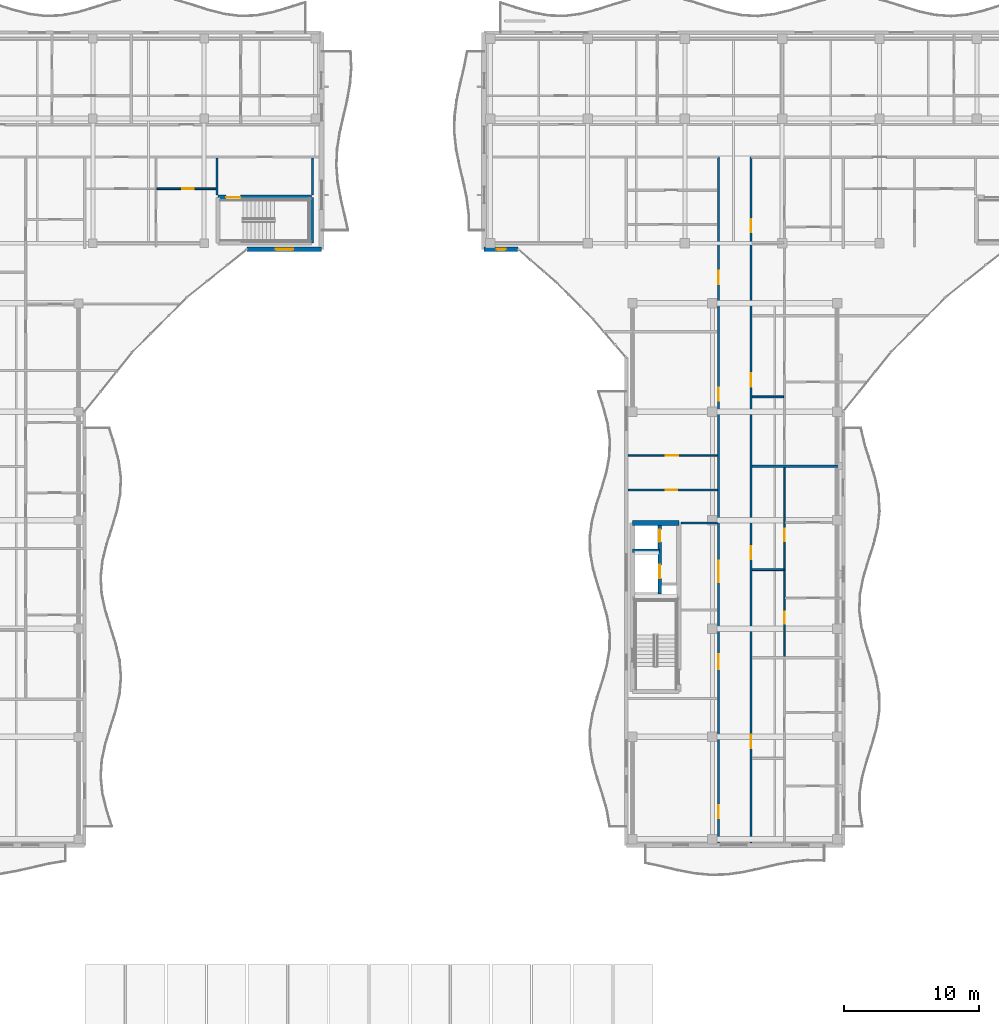
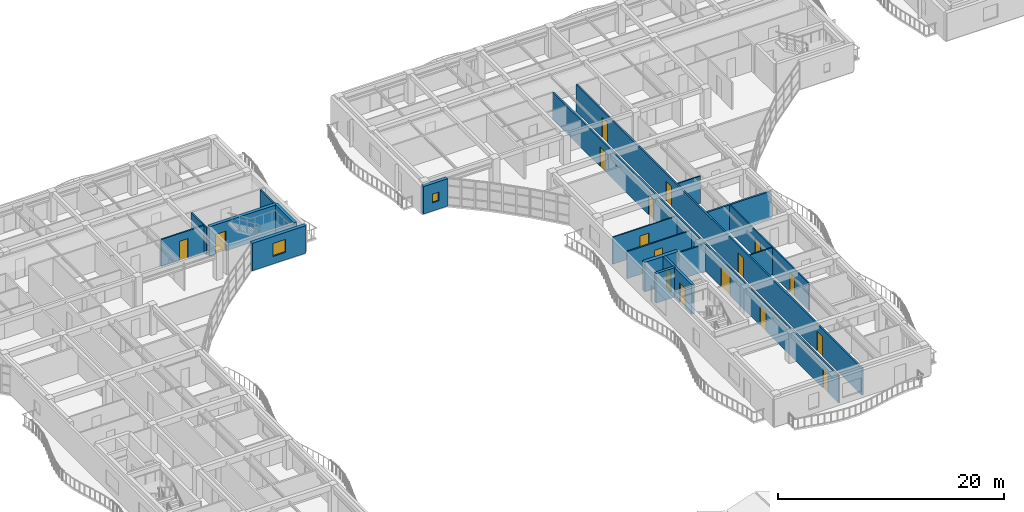
# One storey, part 54 of 89: 19 walls, 17 doors, 2 windows, 19 openings.
"""IFC4 building model written with IfcOpenShell, lengths in metres."""

from ifc_helpers import new_model, si_unit, direction, frame, frame_2d, origin, place, context, subcontext, project, spatial, rectangle, extrude, material, layer, layer_set, type_object, element, fill, save


model = new_model("IFC4")

# Units and contexts
model_context = context("Model", 3, precision=1e-05, world=origin(), true_north=direction((0.0, 1.0)))
body_context = subcontext(model_context, "Body", "Model", "MODEL_VIEW")
ifc_project = project(units=[si_unit("LENGTHUNIT", "METRE"), si_unit("AREAUNIT", "SQUARE_METRE"), si_unit("VOLUMEUNIT", "CUBIC_METRE"), si_unit("PLANEANGLEUNIT", "RADIAN"), si_unit("MASSUNIT", "GRAM", prefix="KILO")], contexts=[model_context])

# Site, building, storey
site_placement = place(None, origin())
site = spatial("IfcSite", under=ifc_project, at=site_placement, CompositionType="ELEMENT")
building_placement = place(site_placement, origin())
building = spatial("IfcBuilding", under=site, at=building_placement, Name="Keldmere Railside Commons", CompositionType="ELEMENT")
storey_placement = place(building_placement, frame((0.0, 0.0, 7.360107421875)))
storey = spatial("IfcBuildingStorey", under=building, at=storey_placement, Name="L02", CompositionType="ELEMENT", Elevation=7.360107421875)

# Wall
ifc_material_1 = material(Name="Acoustic Gypsum Board Partition", Category="gypsum")
ifc_layer_1 = layer(ifc_material_1, 0.179931640625, Name="Acoustic Demising Partition 180")
ifc_layer_set_1 = layer_set([ifc_layer_1], Name="Acoustic Gypsum Board Partition")
wall_type_1 = type_object("IfcWallType", Name="Acoustic Demising Partition 180", PredefinedType="PARTITIONING", material=ifc_layer_set_1)
wall_1_placement = place(storey_placement, frame((113.280029296875, 83.97998046875, 0.0), z_axis=(0.0, 0.0, 1.0), x_axis=(1.0, 0.0, 0.0)))
element("IfcWall", 1, at=wall_1_placement, inside=storey, type_object=wall_type_1, Name="IW-1 IW-L02-0975", PredefinedType="PARTITIONING", context=body_context, shape_type="SweptSolid", body=[
    extrude(rectangle(XDim=6.590087890625, YDim=0.179931640625, at=frame_2d((3.294921875, 0.0))), origin(), (0.0, 0.0, 1.0), 2.934814453125),
])

# Wall, openings, doors
ifc_layer_2 = layer(ifc_material_1, 0.1201171875, Name="Apartment Interior Partition 120")
ifc_layer_set_2 = layer_set([ifc_layer_2], Name="Acoustic Gypsum Board Partition")
wall_type_2 = type_object("IfcWallType", Name="Apartment Interior Partition 120", PredefinedType="PARTITIONING", material=ifc_layer_set_2)
wall_2_placement = place(storey_placement, frame((115.659912109375, 69.919921875, 0.0), z_axis=(0.0, 0.0, 1.0), x_axis=(0.0, 1.0, 0.0)))
wall_2 = element("IfcWall", 2, at=wall_2_placement, inside=storey, type_object=wall_type_2, Name="IW-4 IW-L02-0981", PredefinedType="PARTITIONING", context=body_context, shape_type="SweptSolid", body=[
    extrude(rectangle(XDim=13.969970703125, YDim=0.1201171875, at=frame_2d((6.98486328125, 0.0))), origin(), (0.0, 0.0, 1.0), 2.934814453125),
])
opening_1_placement = place(wall_2_placement, frame((2.443359375, 0.0, 0.0)))
opening_1 = element("IfcOpeningElement", 3, at=opening_1_placement, cuts=wall_2, Name="Opening ID-04", PredefinedType="OPENING", context=body_context, shape_type="SweptSolid", body=[
    extrude(rectangle(XDim=0.860107421875, YDim=2.10009765625, at=frame_2d((0.43017578125, 1.050048828125))), frame((0.0, 0.070068359375, 0.0), z_axis=(0.0, -1.0, 0.0), x_axis=(1.0, 0.0, 0.0)), (0.0, 0.0, 1.0), 0.14013671875),
])
opening_2_placement = place(wall_2_placement, frame((8.541259765625, 0.0, 0.0)))
opening_2 = element("IfcOpeningElement", 4, at=opening_2_placement, cuts=wall_2, Name="Opening ID-03", PredefinedType="OPENING", context=body_context, shape_type="SweptSolid", body=[
    extrude(rectangle(XDim=0.919921875, YDim=2.10009765625, at=frame_2d((0.4599609375, 1.050048828125))), frame((0.0, 0.070068359375, 0.0), z_axis=(0.0, -1.0, 0.0), x_axis=(1.0, 0.0, 0.0)), (0.0, 0.0, 1.0), 0.14013671875),
])
ifc_material_2 = material(Name="Engineered Oak Timber", Category="wood")
door_type_1 = type_object("IfcDoorType", Name="Apartment Bathroom Door 860x2100", OperationType="NOTDEFINED", PredefinedType="DOOR", material=ifc_material_2)
door_1_placement = place(opening_1_placement, origin())
door_1 = element("IfcDoor", 5, at=door_1_placement, inside=storey, type_object=door_type_1, Name="ID-04 IDR-L02-0848", OperationType="SINGLE_SWING_RIGHT", OverallHeight=2.10009765625, OverallWidth=0.860107421875, PredefinedType="DOOR", context=body_context, shape_type="SweptSolid", body=[
    extrude(rectangle(XDim=0.860107421875, YDim=2.10009765625, at=frame_2d((0.43017578125, 1.050048828125))), frame((0.0, 0.02490234375, 0.0), z_axis=(0.0, -1.0, 0.0), x_axis=(1.0, 0.0, 0.0)), (0.0, 0.0, 1.0), 0.050048828125),
])
fill(opening_1, door_1)
door_type_2 = type_object("IfcDoorType", Name="Kitchen Pocket-Frame Swing Door 920x2100", OperationType="NOTDEFINED", PredefinedType="DOOR", material=ifc_material_2)
door_2_placement = place(opening_2_placement, origin())
door_2 = element("IfcDoor", 6, at=door_2_placement, inside=storey, type_object=door_type_2, Name="ID-03 IDR-L02-0849", OperationType="SINGLE_SWING_LEFT", OverallHeight=2.10009765625, OverallWidth=0.919921875, PredefinedType="DOOR", context=body_context, shape_type="SweptSolid", body=[
    extrude(rectangle(XDim=0.919921875, YDim=2.10009765625, at=frame_2d((0.4599609375, 1.050048828125))), frame((0.0, 0.02490234375, 0.0), z_axis=(0.0, -1.0, 0.0), x_axis=(1.0, 0.0, 0.0)), (0.0, 0.0, 1.0), 0.050048828125),
])
fill(opening_2, door_2)

# Wall, opening, door
wall_3_placement = place(storey_placement, frame((104.1298828125, 84.780029296875, 0.0), z_axis=(0.0, 0.0, 1.0), x_axis=(1.0, 0.0, 0.0)))
wall_3 = element("IfcWall", 7, at=wall_3_placement, inside=storey, type_object=wall_type_2, Name="IW-4 IW-L02-1003", PredefinedType="PARTITIONING", context=body_context, shape_type="SweptSolid", body=[
    extrude(rectangle(XDim=6.590087890625, YDim=0.1201171875, at=frame_2d((3.294921875, 0.0))), origin(), (0.0, 0.0, 1.0), 2.934814453125),
])
opening_3_placement = place(wall_3_placement, frame((2.767822265625, 0.0, 0.0)))
opening_3 = element("IfcOpeningElement", 8, at=opening_3_placement, cuts=wall_3, Name="Opening ID-03", PredefinedType="OPENING", context=body_context, shape_type="SweptSolid", body=[
    extrude(rectangle(XDim=0.919921875, YDim=2.10009765625, at=frame_2d((0.4599609375, 1.050048828125))), frame((0.0, 0.070068359375, 0.0), z_axis=(0.0, -1.0, 0.0), x_axis=(1.0, 0.0, 0.0)), (0.0, 0.0, 1.0), 0.14013671875),
])
door_3_placement = place(opening_3_placement, origin())
door_3 = element("IfcDoor", 9, at=door_3_placement, inside=storey, type_object=door_type_2, Name="ID-03 IDR-L02-0877", OperationType="SINGLE_SWING_LEFT", OverallHeight=2.10009765625, OverallWidth=0.919921875, PredefinedType="DOOR", context=body_context, shape_type="SweptSolid", body=[
    extrude(rectangle(XDim=0.919921875, YDim=2.10009765625, at=frame_2d((0.4599609375, 1.050048828125))), frame((0.0, 0.02490234375, 0.0), z_axis=(0.0, -1.0, 0.0), x_axis=(1.0, 0.0, 0.0)), (0.0, 0.0, 1.0), 0.050048828125),
])
fill(opening_3, door_3)

# Wall
ifc_material_3 = material(Name="Concrete H-35 (C35/45)", Category="concrete")
ifc_layer_3 = layer(ifc_material_3, 0.280029296875, Name="Core Shear Wall 280")
ifc_layer_set_3 = layer_set([ifc_layer_3], Name="Concrete H-35 (C35/45)")
wall_type_3 = type_object("IfcWallType", Name="Core Shear Wall 280", PredefinedType="SHEAR", material=ifc_layer_set_3)
wall_4_placement = place(storey_placement, frame((104.4599609375, 77.75, 0.0), z_axis=(0.0, 0.0, 1.0), x_axis=(1.0, 0.0, 0.0)))
element("IfcWall", 10, at=wall_4_placement, inside=storey, type_object=wall_type_3, Name="CSW-2 COREBL-L02-0461", PredefinedType="SHEAR", context=body_context, shape_type="SweptSolid", body=[
    extrude(rectangle(XDim=2.0, YDim=0.280029296875, at=frame_2d((1.0, 0.0))), origin(), (0.0, 0.0, 1.0), 3.199951171875),
])

# Wall, openings, doors
wall_5_placement = place(storey_placement, frame((106.4599609375, 74.550048828125, 0.0), z_axis=(0.0, 0.0, 1.0), x_axis=(0.0, 1.0, 0.0)))
wall_5 = element("IfcWall", 11, at=wall_5_placement, inside=storey, type_object=wall_type_3, Name="CSW-2 LSHB-L02-0462", PredefinedType="SHEAR", context=body_context, shape_type="SweptSolid", body=[
    extrude(rectangle(XDim=5.25, YDim=0.280029296875, at=frame_2d((2.625, 0.0))), origin(), (0.0, 0.0, 1.0), 3.199951171875),
])
opening_4_placement = place(wall_5_placement, frame((1.14990234375, 0.0, 0.0)))
opening_4 = element("IfcOpeningElement", 12, at=opening_4_placement, cuts=wall_5, Name="Opening LD-1", PredefinedType="OPENING", context=body_context, shape_type="SweptSolid", body=[
    extrude(rectangle(XDim=1.0, YDim=2.14990234375, at=frame_2d((0.5, 1.074951171875))), frame((0.0, 0.14990234375, 0.0), z_axis=(0.0, -1.0, 0.0), x_axis=(1.0, 0.0, 0.0)), (0.0, 0.0, 1.0), 0.300048828125),
])
opening_5_placement = place(wall_5_placement, frame((3.85009765625, 0.0, 0.0)))
opening_5 = element("IfcOpeningElement", 13, at=opening_5_placement, cuts=wall_5, Name="Opening LD-2", PredefinedType="OPENING", context=body_context, shape_type="SweptSolid", body=[
    extrude(rectangle(XDim=0.89990234375, YDim=2.14990234375, at=frame_2d((0.449951171875, 1.074951171875))), frame((0.0, 0.14990234375, 0.0), z_axis=(0.0, -1.0, 0.0), x_axis=(1.0, 0.0, 0.0)), (0.0, 0.0, 1.0), 0.300048828125),
])
ifc_material_4 = material(Name="Steel F-24 (S235)", Category="steel")
door_type_3 = type_object("IfcDoorType", Name="Firefighting Stretcher Lift Landing Door 1000x2150", OperationType="SLIDING_TO_LEFT", PredefinedType="DOOR", material=ifc_material_4)
door_4_placement = place(opening_4_placement, origin())
door_4 = element("IfcDoor", 14, at=door_4_placement, inside=storey, type_object=door_type_3, Name="LD-1 B L02", OperationType="SLIDING_TO_LEFT", OverallHeight=2.14990234375, OverallWidth=1.0, PredefinedType="DOOR", context=body_context, shape_type="SweptSolid", body=[
    extrude(rectangle(XDim=1.0, YDim=2.14990234375, at=frame_2d((0.5, 1.074951171875))), frame((0.0, 0.02490234375, 0.0), z_axis=(0.0, -1.0, 0.0), x_axis=(1.0, 0.0, 0.0)), (0.0, 0.0, 1.0), 0.050048828125),
])
fill(opening_4, door_4)
door_type_4 = type_object("IfcDoorType", Name="Passenger Lift Sliding Landing Door 900x2150", OperationType="SLIDING_TO_RIGHT", PredefinedType="DOOR", material=ifc_material_4)
door_5_placement = place(opening_5_placement, origin())
door_5 = element("IfcDoor", 15, at=door_5_placement, inside=storey, type_object=door_type_4, Name="LD-2 B L02", OperationType="SLIDING_TO_RIGHT", OverallHeight=2.14990234375, OverallWidth=0.89990234375, PredefinedType="DOOR", context=body_context, shape_type="SweptSolid", body=[
    extrude(rectangle(XDim=0.89990234375, YDim=2.14990234375, at=frame_2d((0.449951171875, 1.074951171875))), frame((0.0, 0.02490234375, 0.0), z_axis=(0.0, -1.0, 0.0), x_axis=(1.0, 0.0, 0.0)), (0.0, 0.0, 1.0), 0.050048828125),
])
fill(opening_5, door_5)

# Wall
ifc_material_5 = material(Name="Concrete H-40 (C40/50)", Category="concrete")
ifc_layer_4 = layer(ifc_material_5, 0.3798828125, Name="Core Shear Wall 380")
ifc_layer_set_4 = layer_set([ifc_layer_4], Name="Concrete H-40 (C40/50)")
wall_type_4 = type_object("IfcWallType", Name="Core Shear Wall 380", PredefinedType="SHEAR", material=ifc_layer_set_4)
wall_6_placement = place(storey_placement, frame((104.4599609375, 79.800048828125, 0.0), z_axis=(0.0, 0.0, 1.0), x_axis=(1.0, 0.0, 0.0)))
element("IfcWall", 16, at=wall_6_placement, inside=storey, type_object=wall_type_4, Name="CW-CORE COREBN-L02-0457", PredefinedType="SHEAR", context=body_context, shape_type="SweptSolid", body=[
    extrude(rectangle(XDim=3.41015625, YDim=0.3798828125, at=frame_2d((1.705078125, 0.0))), origin(), (0.0, 0.0, 1.0), 3.199951171875),
])

# Wall, openings, doors
ifc_layer_5 = layer(ifc_material_1, 0.159912109375, Name="Corridor Fire Partition 160")
ifc_layer_set_5 = layer_set([ifc_layer_5], Name="Acoustic Gypsum Board Partition")
wall_type_5 = type_object("IfcWallType", Name="Corridor Fire Partition 160", PredefinedType="PARTITIONING", material=ifc_layer_set_5)
wall_7_placement = place(storey_placement, frame((110.800048828125, 56.179931640625, 0.0), z_axis=(0.0, 0.0, 1.0), x_axis=(0.0, 1.0, 0.0)))
wall_7 = element("IfcWall", 17, at=wall_7_placement, inside=storey, type_object=wall_type_5, Name="IW-2 IW-L02-0965", PredefinedType="PARTITIONING", context=body_context, shape_type="SweptSolid", body=[
    extrude(rectangle(XDim=50.6201171875, YDim=0.159912109375, at=frame_2d((25.31005859375, 0.0))), origin(), (0.0, 0.0, 1.0), 2.934814453125),
])
opening_6_placement = place(wall_7_placement, frame((12.820068359375, 0.0, 0.0)))
opening_6 = element("IfcOpeningElement", 18, at=opening_6_placement, cuts=wall_7, Name="Opening FD-2", PredefinedType="OPENING", context=body_context, shape_type="SweptSolid", body=[
    extrude(rectangle(XDim=1.10009765625, YDim=2.14990234375, at=frame_2d((0.550048828125, 1.074951171875))), frame((0.0, 0.08984375, 0.0), z_axis=(0.0, -1.0, 0.0), x_axis=(1.0, 0.0, 0.0)), (0.0, 0.0, 1.0), 0.179931640625),
])
opening_7_placement = place(wall_7_placement, frame((19.219970703125, 0.0, 0.0)))
opening_7 = element("IfcOpeningElement", 19, at=opening_7_placement, cuts=wall_7, Name="Opening FD-4", PredefinedType="OPENING", context=body_context, shape_type="SweptSolid", body=[
    extrude(rectangle(XDim=1.60009765625, YDim=2.14990234375, at=frame_2d((0.800048828125, 1.074951171875))), frame((0.0, 0.08984375, 0.0), z_axis=(0.0, -1.0, 0.0), x_axis=(1.0, 0.0, 0.0)), (0.0, 0.0, 1.0), 0.179931640625),
])
opening_8_placement = place(wall_7_placement, frame((1.800048828125, 0.0, 0.0)))
opening_8 = element("IfcOpeningElement", 20, at=opening_8_placement, cuts=wall_7, Name="Opening ID-08", PredefinedType="OPENING", context=body_context, shape_type="SweptSolid", body=[
    extrude(rectangle(XDim=0.9599609375, YDim=2.14990234375, at=frame_2d((0.47998046875, 1.074951171875))), frame((0.0, 0.08984375, 0.0), z_axis=(0.0, -1.0, 0.0), x_axis=(1.0, 0.0, 0.0)), (0.0, 0.0, 1.0), 0.179931640625),
])
opening_9_placement = place(wall_7_placement, frame((32.625, 0.0, 0.0)))
opening_9 = element("IfcOpeningElement", 21, at=opening_9_placement, cuts=wall_7, Name="Opening FD-7", PredefinedType="OPENING", context=body_context, shape_type="SweptSolid", body=[
    extrude(rectangle(XDim=0.97998046875, YDim=2.14990234375, at=frame_2d((0.489990234375, 1.074951171875))), frame((0.0, 0.08984375, 0.0), z_axis=(0.0, -1.0, 0.0), x_axis=(1.0, 0.0, 0.0)), (0.0, 0.0, 1.0), 0.179931640625),
])
opening_10_placement = place(wall_7_placement, frame((41.235107421875, 0.0, 0.0)))
opening_10 = element("IfcOpeningElement", 22, at=opening_10_placement, cuts=wall_7, Name="Opening FD-7", PredefinedType="OPENING", context=body_context, shape_type="SweptSolid", body=[
    extrude(rectangle(XDim=0.97998046875, YDim=2.14990234375, at=frame_2d((0.489990234375, 1.074951171875))), frame((0.0, 0.08984375, 0.0), z_axis=(0.0, -1.0, 0.0), x_axis=(1.0, 0.0, 0.0)), (0.0, 0.0, 1.0), 0.179931640625),
])
door_type_5 = type_object("IfcDoorType", Name="Apartment Entrance Acoustic Fire Door 980x2150", OperationType="NOTDEFINED", PredefinedType="DOOR", material=ifc_material_2)
door_6_placement = place(opening_9_placement, origin())
door_6 = element("IfcDoor", 23, at=door_6_placement, inside=storey, type_object=door_type_5, Name="FD-7 IDR-L02-0878", OperationType="SINGLE_SWING_RIGHT", OverallHeight=2.14990234375, OverallWidth=0.97998046875, PredefinedType="DOOR", context=body_context, shape_type="SweptSolid", body=[
    extrude(rectangle(XDim=0.97998046875, YDim=2.14990234375, at=frame_2d((0.489990234375, 1.074951171875))), frame((0.0, 0.02490234375, 0.0), z_axis=(0.0, -1.0, 0.0), x_axis=(1.0, 0.0, 0.0)), (0.0, 0.0, 1.0), 0.050048828125),
])
fill(opening_9, door_6)
door_7_placement = place(opening_10_placement, origin())
door_7 = element("IfcDoor", 24, at=door_7_placement, inside=storey, type_object=door_type_5, Name="FD-7 IDR-L02-0881", OperationType="SINGLE_SWING_LEFT", OverallHeight=2.14990234375, OverallWidth=0.97998046875, PredefinedType="DOOR", context=body_context, shape_type="SweptSolid", body=[
    extrude(rectangle(XDim=0.97998046875, YDim=2.14990234375, at=frame_2d((0.489990234375, 1.074951171875))), frame((0.0, 0.02490234375, 0.0), z_axis=(0.0, -1.0, 0.0), x_axis=(1.0, 0.0, 0.0)), (0.0, 0.0, 1.0), 0.050048828125),
])
fill(opening_10, door_7)
door_type_6 = type_object("IfcDoorType", Name="Corridor Cross-Compartment Double Fire Door 1600x2150", OperationType="DOUBLE_DOOR_SINGLE_SWING", PredefinedType="DOOR", material=ifc_material_4)
door_8_placement = place(opening_7_placement, origin())
door_8 = element("IfcDoor", 25, at=door_8_placement, inside=storey, type_object=door_type_6, Name="FD-4 IDR-L02-0842", OperationType="DOUBLE_DOOR_SINGLE_SWING", OverallHeight=2.14990234375, OverallWidth=1.60009765625, PredefinedType="DOOR", context=body_context, shape_type="SweptSolid", body=[
    extrude(rectangle(XDim=1.60009765625, YDim=2.14990234375, at=frame_2d((0.800048828125, 1.074951171875))), frame((0.0, 0.02490234375, 0.0), z_axis=(0.0, -1.0, 0.0), x_axis=(1.0, 0.0, 0.0)), (0.0, 0.0, 1.0), 0.050048828125),
])
fill(opening_7, door_8)
door_type_7 = type_object("IfcDoorType", Name="Firefighting Lobby Fire Door 1100x2150", OperationType="NOTDEFINED", PredefinedType="DOOR", material=ifc_material_4)
door_9_placement = place(opening_6_placement, origin())
door_9 = element("IfcDoor", 26, at=door_9_placement, inside=storey, type_object=door_type_7, Name="FD-2 IDR-L02-0841", OperationType="SINGLE_SWING_LEFT", OverallHeight=2.14990234375, OverallWidth=1.10009765625, PredefinedType="DOOR", context=body_context, shape_type="SweptSolid", body=[
    extrude(rectangle(XDim=1.10009765625, YDim=2.14990234375, at=frame_2d((0.550048828125, 1.074951171875))), frame((0.0, 0.02490234375, 0.0), z_axis=(0.0, -1.0, 0.0), x_axis=(1.0, 0.0, 0.0)), (0.0, 0.0, 1.0), 0.050048828125),
])
fill(opening_6, door_9)
door_type_8 = type_object("IfcDoorType", Name="Study & Meeting Room Door 960x2150", OperationType="NOTDEFINED", PredefinedType="DOOR", material=ifc_material_2)
door_10_placement = place(opening_8_placement, origin())
door_10 = element("IfcDoor", 27, at=door_10_placement, inside=storey, type_object=door_type_8, Name="ID-08 IDR-L02-0875", OperationType="SINGLE_SWING_LEFT", OverallHeight=2.14990234375, OverallWidth=0.9599609375, PredefinedType="DOOR", context=body_context, shape_type="SweptSolid", body=[
    extrude(rectangle(XDim=0.9599609375, YDim=2.14990234375, at=frame_2d((0.47998046875, 1.074951171875))), frame((0.0, 0.02490234375, 0.0), z_axis=(0.0, -1.0, 0.0), x_axis=(1.0, 0.0, 0.0)), (0.0, 0.0, 1.0), 0.050048828125),
])
fill(opening_8, door_10)

wall_8_placement = place(storey_placement, frame((113.199951171875, 56.179931640625, 0.0), z_axis=(0.0, 0.0, 1.0), x_axis=(0.0, 1.0, 0.0)))
wall_8 = element("IfcWall", 28, at=wall_8_placement, inside=storey, type_object=wall_type_5, Name="IW-2 IW-L02-0966", PredefinedType="PARTITIONING", context=body_context, shape_type="SweptSolid", body=[
    extrude(rectangle(XDim=50.6201171875, YDim=0.159912109375, at=frame_2d((25.31005859375, 0.0))), origin(), (0.0, 0.0, 1.0), 2.934814453125),
])
opening_11_placement = place(wall_8_placement, frame((6.989990234375, 0.0, 0.0)))
opening_11 = element("IfcOpeningElement", 29, at=opening_11_placement, cuts=wall_8, Name="Opening FD-7", PredefinedType="OPENING", context=body_context, shape_type="SweptSolid", body=[
    extrude(rectangle(XDim=0.97998046875, YDim=2.14990234375, at=frame_2d((0.489990234375, 1.074951171875))), frame((0.0, 0.08984375, 0.0), z_axis=(0.0, -1.0, 0.0), x_axis=(1.0, 0.0, 0.0)), (0.0, 0.0, 1.0), 0.179931640625),
])
opening_12_placement = place(wall_8_placement, frame((20.919921875, 0.0, 0.0)))
opening_12 = element("IfcOpeningElement", 30, at=opening_12_placement, cuts=wall_8, Name="Opening FD-7", PredefinedType="OPENING", context=body_context, shape_type="SweptSolid", body=[
    extrude(rectangle(XDim=0.97998046875, YDim=2.14990234375, at=frame_2d((0.489990234375, 1.074951171875))), frame((0.0, 0.08984375, 0.0), z_axis=(0.0, -1.0, 0.0), x_axis=(1.0, 0.0, 0.0)), (0.0, 0.0, 1.0), 0.179931640625),
])
opening_13_placement = place(wall_8_placement, frame((33.669921875, 0.0, 0.0)))
opening_13 = element("IfcOpeningElement", 31, at=opening_13_placement, cuts=wall_8, Name="Opening FD-7", PredefinedType="OPENING", context=body_context, shape_type="SweptSolid", body=[
    extrude(rectangle(XDim=0.97998046875, YDim=2.14990234375, at=frame_2d((0.489990234375, 1.074951171875))), frame((0.0, 0.08984375, 0.0), z_axis=(0.0, -1.0, 0.0), x_axis=(1.0, 0.0, 0.0)), (0.0, 0.0, 1.0), 0.179931640625),
])
opening_14_placement = place(wall_8_placement, frame((45.06005859375, 0.0, 0.0)))
opening_14 = element("IfcOpeningElement", 32, at=opening_14_placement, cuts=wall_8, Name="Opening FD-7", PredefinedType="OPENING", context=body_context, shape_type="SweptSolid", body=[
    extrude(rectangle(XDim=0.97998046875, YDim=2.14990234375, at=frame_2d((0.489990234375, 1.074951171875))), frame((0.0, 0.08984375, 0.0), z_axis=(0.0, -1.0, 0.0), x_axis=(1.0, 0.0, 0.0)), (0.0, 0.0, 1.0), 0.179931640625),
])
door_11_placement = place(opening_11_placement, origin())
door_11 = element("IfcDoor", 33, at=door_11_placement, inside=storey, type_object=door_type_5, Name="FD-7 IDR-L02-0845", OperationType="SINGLE_SWING_LEFT", OverallHeight=2.14990234375, OverallWidth=0.97998046875, PredefinedType="DOOR", context=body_context, shape_type="SweptSolid", body=[
    extrude(rectangle(XDim=0.97998046875, YDim=2.14990234375, at=frame_2d((0.489990234375, 1.074951171875))), frame((0.0, 0.02490234375, 0.0), z_axis=(0.0, -1.0, 0.0), x_axis=(1.0, 0.0, 0.0)), (0.0, 0.0, 1.0), 0.050048828125),
])
fill(opening_11, door_11)
door_12_placement = place(opening_12_placement, origin())
door_12 = element("IfcDoor", 34, at=door_12_placement, inside=storey, type_object=door_type_5, Name="FD-7 IDR-L02-0850", OperationType="SINGLE_SWING_RIGHT", OverallHeight=2.14990234375, OverallWidth=0.97998046875, PredefinedType="DOOR", context=body_context, shape_type="SweptSolid", body=[
    extrude(rectangle(XDim=0.97998046875, YDim=2.14990234375, at=frame_2d((0.489990234375, 1.074951171875))), frame((0.0, 0.02490234375, 0.0), z_axis=(0.0, -1.0, 0.0), x_axis=(1.0, 0.0, 0.0)), (0.0, 0.0, 1.0), 0.050048828125),
])
fill(opening_12, door_12)
door_13_placement = place(opening_13_placement, origin())
door_13 = element("IfcDoor", 35, at=door_13_placement, inside=storey, type_object=door_type_5, Name="FD-7 IDR-L02-0855", OperationType="SINGLE_SWING_LEFT", OverallHeight=2.14990234375, OverallWidth=0.97998046875, PredefinedType="DOOR", context=body_context, shape_type="SweptSolid", body=[
    extrude(rectangle(XDim=0.97998046875, YDim=2.14990234375, at=frame_2d((0.489990234375, 1.074951171875))), frame((0.0, 0.02490234375, 0.0), z_axis=(0.0, -1.0, 0.0), x_axis=(1.0, 0.0, 0.0)), (0.0, 0.0, 1.0), 0.050048828125),
])
fill(opening_13, door_13)
door_14_placement = place(opening_14_placement, origin())
door_14 = element("IfcDoor", 36, at=door_14_placement, inside=storey, type_object=door_type_5, Name="FD-7 IDR-L02-0859", OperationType="SINGLE_SWING_LEFT", OverallHeight=2.14990234375, OverallWidth=0.97998046875, PredefinedType="DOOR", context=body_context, shape_type="SweptSolid", body=[
    extrude(rectangle(XDim=0.97998046875, YDim=2.14990234375, at=frame_2d((0.489990234375, 1.074951171875))), frame((0.0, 0.02490234375, 0.0), z_axis=(0.0, -1.0, 0.0), x_axis=(1.0, 0.0, 0.0)), (0.0, 0.0, 1.0), 0.050048828125),
])
fill(opening_14, door_14)

# Wall, opening, window
ifc_layer_6 = layer(ifc_material_3, 0.360107421875, Name="Exterior Shear Wall 360")
ifc_layer_set_6 = layer_set([ifc_layer_6], Name="Concrete H-35 (C35/45)")
wall_type_6 = type_object("IfcWallType", Name="Exterior Shear Wall 360", PredefinedType="SHEAR", material=ifc_layer_set_6)
wall_9_placement = place(storey_placement, frame((81.5, 100.0, 0.0), z_axis=(0.0, 0.0, 1.0), x_axis=(-1.0, 0.0, 0.0)))
wall_9 = element("IfcWall", 37, at=wall_9_placement, inside=storey, type_object=wall_type_6, Name="ESW-1 EXTC-L02-0337", PredefinedType="SHEAR", context=body_context, shape_type="SweptSolid", body=[
    extrude(rectangle(XDim=5.5, YDim=0.360107421875, at=frame_2d((2.75, 0.0))), origin(), (0.0, 0.0, 1.0), 2.97998046875),
])
opening_15_placement = place(wall_9_placement, frame((2.10009765625, 0.0, 0.820068359375)))
opening_15 = element("IfcOpeningElement", 38, at=opening_15_placement, cuts=wall_9, Name="Opening WN-10", PredefinedType="OPENING", context=body_context, shape_type="SweptSolid", body=[
    extrude(rectangle(XDim=1.300048828125, YDim=1.39990234375, at=frame_2d((0.64990234375, 0.699951171875))), frame((0.0, 0.18994140625, 0.0), z_axis=(0.0, -1.0, 0.0), x_axis=(1.0, 0.0, 0.0)), (0.0, 0.0, 1.0), 0.380126953125),
])
ifc_material_6 = material(Name="Low-E Insulated Double Glazing", Category="glass")
window_type_1 = type_object("IfcWindowType", Name="Secondary Bedroom Court Window 1300x1400", PartitioningType="SINGLE_PANEL", PredefinedType="WINDOW", material=ifc_material_6)
window_1_placement = place(opening_15_placement, origin())
window_1 = element("IfcWindow", 39, at=window_1_placement, inside=storey, type_object=window_type_1, Name="WN-10 WIN-L02-0197", OverallHeight=1.39990234375, OverallWidth=1.300048828125, PartitioningType="SINGLE_PANEL", PredefinedType="WINDOW", context=body_context, shape_type="SweptSolid", body=[
    extrude(rectangle(XDim=1.300048828125, YDim=1.39990234375, at=frame_2d((0.64990234375, 0.699951171875))), frame((0.0, 0.030029296875, 0.0), z_axis=(0.0, -1.0, 0.0), x_axis=(1.0, 0.0, 0.0)), (0.0, 0.0, 1.0), 0.06005859375),
])
fill(opening_15, window_1)

wall_10_placement = place(storey_placement, frame((96.0, 100.0, 0.0), z_axis=(0.0, 0.0, 1.0), x_axis=(-1.0, 0.0, 0.0)))
wall_10 = element("IfcWall", 40, at=wall_10_placement, inside=storey, type_object=wall_type_6, Name="ESW-1 EXTB-L02-0599", PredefinedType="SHEAR", context=body_context, shape_type="SweptSolid", body=[
    extrude(rectangle(XDim=2.5, YDim=0.360107421875, at=frame_2d((1.25, 0.0))), origin(), (0.0, 0.0, 1.0), 2.97998046875),
])
opening_16_placement = place(wall_10_placement, frame((0.925048828125, 0.0, 0.89990234375)))
opening_16 = element("IfcOpeningElement", 41, at=opening_16_placement, cuts=wall_10, Name="Opening WN-15", PredefinedType="OPENING", context=body_context, shape_type="SweptSolid", body=[
    extrude(rectangle(XDim=0.64990234375, YDim=0.949951171875, at=frame_2d((0.324951171875, 0.47509765625))), frame((0.0, 0.18994140625, 0.0), z_axis=(0.0, -1.0, 0.0), x_axis=(1.0, 0.0, 0.0)), (0.0, 0.0, 1.0), 0.380126953125),
])
window_type_2 = type_object("IfcWindowType", Name="Exterior Bathroom Frosted Window 650x950", PartitioningType="SINGLE_PANEL", PredefinedType="WINDOW", material=ifc_material_6)
window_2_placement = place(opening_16_placement, origin())
window_2 = element("IfcWindow", 42, at=window_2_placement, inside=storey, type_object=window_type_2, Name="WN-15 WIN-L02-0395", OverallHeight=0.949951171875, OverallWidth=0.64990234375, PartitioningType="SINGLE_PANEL", PredefinedType="WINDOW", context=body_context, shape_type="SweptSolid", body=[
    extrude(rectangle(XDim=0.64990234375, YDim=0.949951171875, at=frame_2d((0.324951171875, 0.47509765625))), frame((0.0, 0.030029296875, 0.0), z_axis=(0.0, -1.0, 0.0), x_axis=(1.0, 0.0, 0.0)), (0.0, 0.0, 1.0), 0.06005859375),
])
fill(opening_16, window_2)

# Wall
ifc_layer_7 = layer(ifc_material_3, 0.300048828125, Name="Interior Shear Wall 300")
ifc_layer_set_7 = layer_set([ifc_layer_7], Name="Concrete H-35 (C35/45)")
wall_type_7 = type_object("IfcWallType", Name="Interior Shear Wall 300", PredefinedType="SHEAR", material=ifc_layer_set_7)
wall_11_placement = place(storey_placement, frame((80.75, 100.449951171875, 0.0), z_axis=(0.0, 0.0, 1.0), x_axis=(0.0, 1.0, 0.0)))
element("IfcWall", 43, at=wall_11_placement, inside=storey, type_object=wall_type_7, Name="ISW-2 COREC2E-L02-0233", PredefinedType="SHEAR", context=body_context, shape_type="SweptSolid", body=[
    extrude(rectangle(XDim=3.3701171875, YDim=0.300048828125, at=frame_2d((1.68505859375, 0.0))), origin(), (0.0, 0.0, 1.0), 3.199951171875),
])

# Wall, opening, door
ifc_layer_8 = layer(ifc_material_3, 0.340087890625, Name="Interior Shear Wall 340")
ifc_layer_set_8 = layer_set([ifc_layer_8], Name="Concrete H-35 (C35/45)")
wall_type_8 = type_object("IfcWallType", Name="Interior Shear Wall 340", PredefinedType="SHEAR", material=ifc_layer_set_8)
wall_12_placement = place(storey_placement, frame((80.75, 103.820068359375, 0.0), z_axis=(0.0, 0.0, 1.0), x_axis=(-1.0, 0.0, 0.0)))
wall_12 = element("IfcWall", 44, at=wall_12_placement, inside=storey, type_object=wall_type_8, Name="ISW-1 COREC2N-L02-0231", PredefinedType="SHEAR", context=body_context, shape_type="SweptSolid", body=[
    extrude(rectangle(XDim=6.89990234375, YDim=0.340087890625, at=frame_2d((3.449951171875, 0.0))), origin(), (0.0, 0.0, 1.0), 3.199951171875),
])
opening_17_placement = place(wall_12_placement, frame((5.25, 0.0, 0.0)))
opening_17 = element("IfcOpeningElement", 45, at=opening_17_placement, cuts=wall_12, Name="Opening FD-1", PredefinedType="OPENING", context=body_context, shape_type="SweptSolid", body=[
    extrude(rectangle(XDim=1.050048828125, YDim=2.14990234375, at=frame_2d((0.52490234375, 1.074951171875))), frame((0.0, 0.179931640625, 0.0), z_axis=(0.0, -1.0, 0.0), x_axis=(1.0, 0.0, 0.0)), (0.0, 0.0, 1.0), 0.360107421875),
])
door_type_9 = type_object("IfcDoorType", Name="Stair Core Fire Door 1050x2150", OperationType="NOTDEFINED", PredefinedType="DOOR", material=ifc_material_4)
door_15_placement = place(opening_17_placement, origin())
door_15 = element("IfcDoor", 46, at=door_15_placement, inside=storey, type_object=door_type_9, Name="FD-1 C2 L02", OperationType="SINGLE_SWING_RIGHT", OverallHeight=2.14990234375, OverallWidth=1.050048828125, PredefinedType="DOOR", context=body_context, shape_type="SweptSolid", body=[
    extrude(rectangle(XDim=1.050048828125, YDim=2.14990234375, at=frame_2d((0.52490234375, 1.074951171875))), frame((0.0, 0.02490234375, 0.0), z_axis=(0.0, -1.0, 0.0), x_axis=(1.0, 0.0, 0.0)), (0.0, 0.0, 1.0), 0.050048828125),
])
fill(opening_17, door_15)

# Walls
ifc_layer_9 = layer(ifc_material_1, 0.14990234375, Name="Lobby Rated Partition 150")
ifc_layer_set_9 = layer_set([ifc_layer_9], Name="Acoustic Gypsum Board Partition")
wall_type_9 = type_object("IfcWallType", Name="Lobby Rated Partition 150", PredefinedType="PARTITIONING", material=ifc_layer_set_9)
for number, where, z_axis, x_axis, name in (
    (47, (73.780029296875, 103.989990234375, 0.0), (0.0, 0.0, 1.0), (0.0, 1.0, 0.0), "IW-3 IW-L02-0557"),
    (48, (80.820068359375, 103.989990234375, 0.0), (0.0, 0.0, 1.0), (0.0, 1.0, 0.0), "IW-3 IW-L02-0558"),
):
    element("IfcWall", number, at=place(storey_placement, frame(where, z_axis=z_axis, x_axis=x_axis)), inside=storey, type_object=wall_type_9, Name=name, PredefinedType="PARTITIONING", context=body_context, shape_type="SweptSolid", body=[
        extrude(rectangle(XDim=2.72998046875, YDim=0.14990234375, at=frame_2d((1.364990234375, 0.0))), origin(), (0.0, 0.0, 1.0), 2.934814453125),
    ])
wall_13_placement = place(storey_placement, frame((108.0400390625, 79.800048828125, 0.0), z_axis=(0.0, 0.0, 1.0), x_axis=(1.0, 0.0, 0.0)))
element("IfcWall", 49, at=wall_13_placement, inside=storey, type_object=wall_type_9, Name="IW-3 IW-L02-0964", PredefinedType="PARTITIONING", context=body_context, shape_type="SweptSolid", body=[
    extrude(rectangle(XDim=2.679931640625, YDim=0.14990234375, at=frame_2d((1.33984375, 0.0))), origin(), (0.0, 0.0, 1.0), 2.934814453125),
])

# Wall, opening, door
ifc_layer_10 = layer(ifc_material_1, 0.139892578125, Name="Wet-Room Sanitary Partition 140")
ifc_layer_set_10 = layer_set([ifc_layer_10], Name="Acoustic Gypsum Board Partition")
wall_type_10 = type_object("IfcWallType", Name="Wet-Room Sanitary Partition 140", PredefinedType="PARTITIONING", material=ifc_layer_set_10)
wall_14_placement = place(storey_placement, frame((69.340087890625, 104.469970703125, 0.0), z_axis=(0.0, 0.0, 1.0), x_axis=(1.0, 0.0, 0.0)))
wall_14 = element("IfcWall", 50, at=wall_14_placement, inside=storey, type_object=wall_type_10, Name="IW-5 IW-L02-0585", PredefinedType="PARTITIONING", context=body_context, shape_type="SweptSolid", body=[
    extrude(rectangle(XDim=4.35986328125, YDim=0.139892578125, at=frame_2d((2.179931640625, 0.0))), origin(), (0.0, 0.0, 1.0), 2.934814453125),
])
opening_18_placement = place(wall_14_placement, frame((1.8564453125, 0.0, 0.0)))
opening_18 = element("IfcOpeningElement", 51, at=opening_18_placement, cuts=wall_14, Name="Opening ID-04", PredefinedType="OPENING", context=body_context, shape_type="SweptSolid", body=[
    extrude(rectangle(XDim=0.860107421875, YDim=2.10009765625, at=frame_2d((0.43017578125, 1.050048828125))), frame((0.0, 0.079833984375, 0.0), z_axis=(0.0, -1.0, 0.0), x_axis=(1.0, 0.0, 0.0)), (0.0, 0.0, 1.0), 0.159912109375),
])
door_16_placement = place(opening_18_placement, origin())
door_16 = element("IfcDoor", 52, at=door_16_placement, inside=storey, type_object=door_type_1, Name="ID-04 IDR-L02-0481", OperationType="SINGLE_SWING_LEFT", OverallHeight=2.10009765625, OverallWidth=0.860107421875, PredefinedType="DOOR", context=body_context, shape_type="SweptSolid", body=[
    extrude(rectangle(XDim=0.860107421875, YDim=2.10009765625, at=frame_2d((0.43017578125, 1.050048828125))), frame((0.0, 0.02490234375, 0.0), z_axis=(0.0, -1.0, 0.0), x_axis=(1.0, 0.0, 0.0)), (0.0, 0.0, 1.0), 0.050048828125),
])
fill(opening_18, door_16)

# Walls
for number, where, z_axis, x_axis, name in (
    (53, (113.280029296875, 76.35009765625, 0.0), (0.0, 0.0, 1.0), (1.0, 0.0, 0.0), "IW-5 IW-L02-0982"),
    (54, (113.280029296875, 89.10009765625, 0.0), (0.0, 0.0, 1.0), (1.0, 0.0, 0.0), "IW-5 IW-L02-0986"),
):
    element("IfcWall", number, at=place(storey_placement, frame(where, z_axis=z_axis, x_axis=x_axis)), inside=storey, type_object=wall_type_10, Name=name, PredefinedType="PARTITIONING", context=body_context, shape_type="SweptSolid", body=[
        extrude(rectangle(XDim=2.320068359375, YDim=0.139892578125, at=frame_2d((1.16015625, 0.0))), origin(), (0.0, 0.0, 1.0), 2.934814453125),
    ])

# Wall, opening, door
wall_15_placement = place(storey_placement, frame((104.1298828125, 82.22998046875, 0.0), z_axis=(0.0, 0.0, 1.0), x_axis=(1.0, 0.0, 0.0)))
wall_15 = element("IfcWall", 55, at=wall_15_placement, inside=storey, type_object=wall_type_10, Name="IW-5 IW-L02-1002", PredefinedType="PARTITIONING", context=body_context, shape_type="SweptSolid", body=[
    extrude(rectangle(XDim=6.590087890625, YDim=0.139892578125, at=frame_2d((3.294921875, 0.0))), origin(), (0.0, 0.0, 1.0), 2.934814453125),
])
opening_19_placement = place(wall_15_placement, frame((2.767822265625, 0.0, 0.0)))
opening_19 = element("IfcOpeningElement", 56, at=opening_19_placement, cuts=wall_15, Name="Opening ID-04", PredefinedType="OPENING", context=body_context, shape_type="SweptSolid", body=[
    extrude(rectangle(XDim=0.860107421875, YDim=2.10009765625, at=frame_2d((0.43017578125, 1.050048828125))), frame((0.0, 0.079833984375, 0.0), z_axis=(0.0, -1.0, 0.0), x_axis=(1.0, 0.0, 0.0)), (0.0, 0.0, 1.0), 0.159912109375),
])
door_17_placement = place(opening_19_placement, origin())
door_17 = element("IfcDoor", 57, at=door_17_placement, inside=storey, type_object=door_type_1, Name="ID-04 IDR-L02-0876", OperationType="SINGLE_SWING_RIGHT", OverallHeight=2.10009765625, OverallWidth=0.860107421875, PredefinedType="DOOR", context=body_context, shape_type="SweptSolid", body=[
    extrude(rectangle(XDim=0.860107421875, YDim=2.10009765625, at=frame_2d((0.43017578125, 1.050048828125))), frame((0.0, 0.02490234375, 0.0), z_axis=(0.0, -1.0, 0.0), x_axis=(1.0, 0.0, 0.0)), (0.0, 0.0, 1.0), 0.050048828125),
])
fill(opening_19, door_17)

save(model, "model.ifc")
